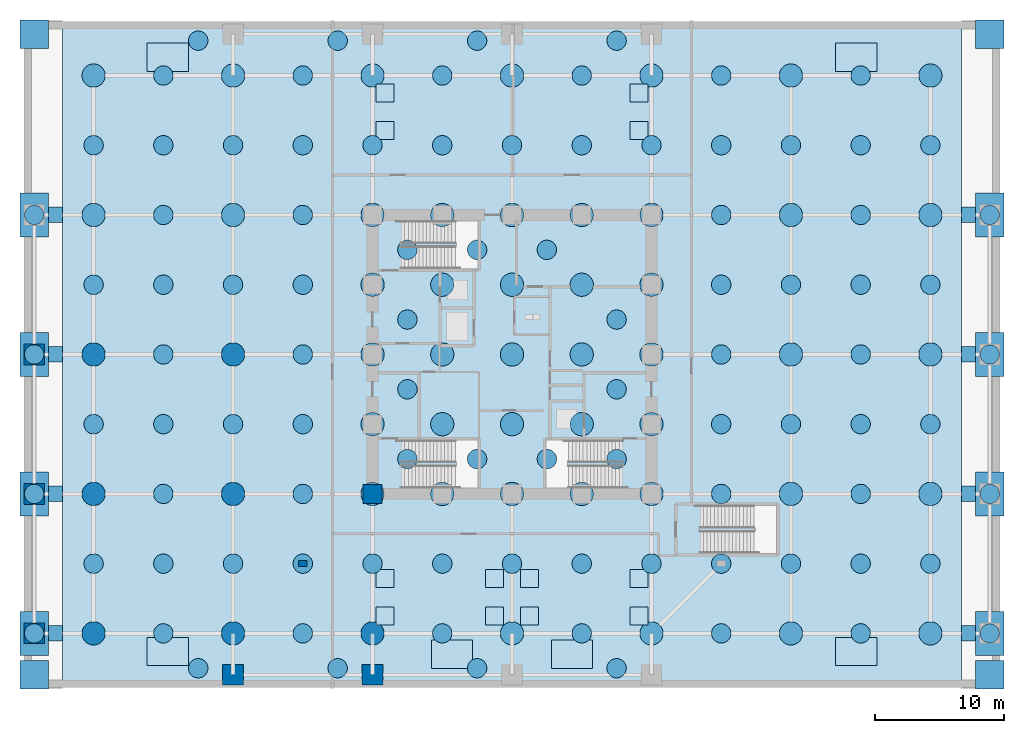
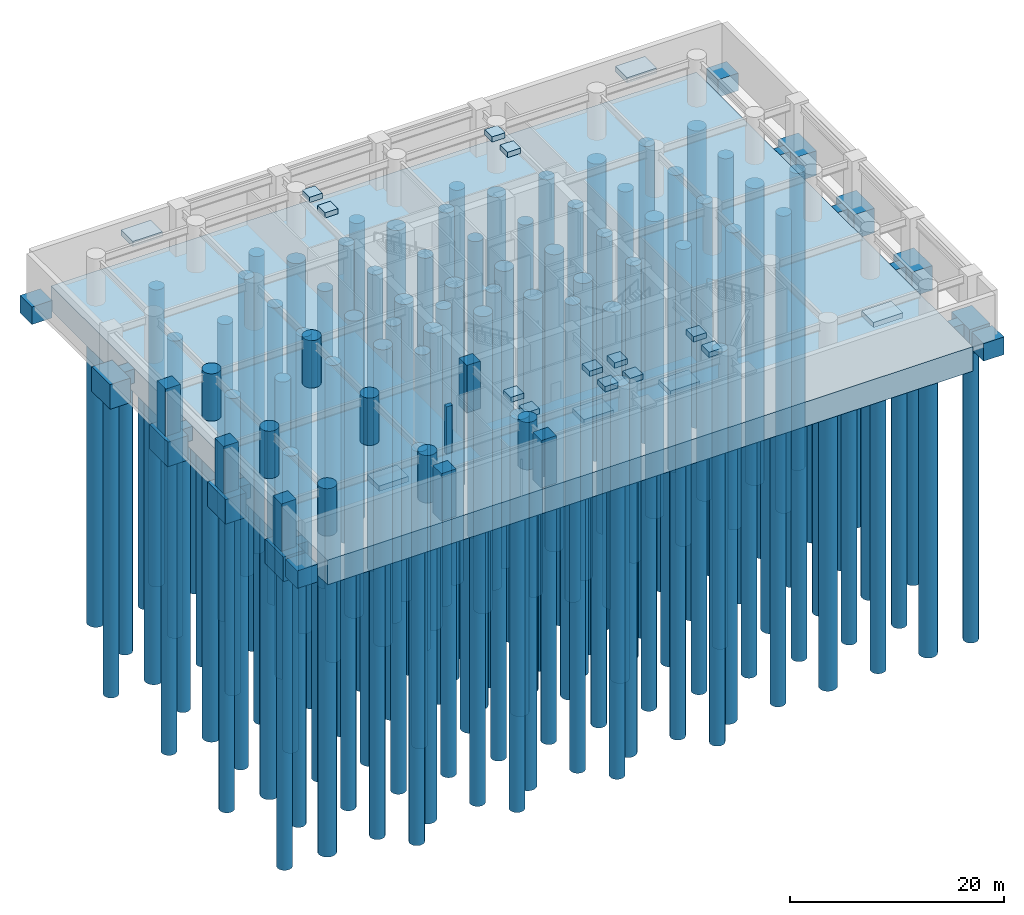
# One storey, part 1 of 9: 144 piles, 39 footings, 14 columns.
"""IFC4 building model written with IfcOpenShell, lengths in metres."""

from ifc_helpers import new_model, si_unit, direction, frame, origin, origin_2d, place, context, subcontext, project, spatial, polyline, rectangle, circle, outline, extrude, material, material_profile, profile_set, type_object, element, save


model = new_model("IFC4")

# Units and contexts
model_context = context("Model", 3, precision=1e-05, world=origin(), true_north=direction((0.0, 1.0)))
body_context = subcontext(model_context, "Body", "Model", "MODEL_VIEW")
ifc_project = project(units=[si_unit("LENGTHUNIT", "METRE"), si_unit("AREAUNIT", "SQUARE_METRE"), si_unit("VOLUMEUNIT", "CUBIC_METRE"), si_unit("PLANEANGLEUNIT", "RADIAN"), si_unit("MASSUNIT", "GRAM", prefix="KILO")], contexts=[model_context])

# Site, building, storey
site_placement = place(None, origin())
site = spatial("IfcSite", under=ifc_project, at=site_placement, CompositionType="ELEMENT")
building_placement = place(site_placement, origin())
building = spatial("IfcBuilding", under=site, at=building_placement, Name="Surkhivell Harbour Commons", CompositionType="ELEMENT")
storey_placement = place(building_placement, frame((0.0, 0.0, -5.39990234375)))
storey = spatial("IfcBuildingStorey", under=building, at=storey_placement, Name="B1", CompositionType="ELEMENT", Elevation=-5.39990234375)

# Footings
ifc_material_1 = material(Name="Concrete C50/60", Category="concrete")
ifc_material_profile_1 = material_profile(ifc_material_1, rectangle(XDim=1.199951171875, YDim=1.60009765625, at=origin_2d()), Name="RC-FBM-1200x1600")
ifc_profile_set_1 = profile_set([ifc_material_profile_1], Name="Concrete C50/60")
footing_type_1 = type_object("IfcFootingType", Name="FND-FBM-1200x1600", PredefinedType="FOOTING_BEAM", material=ifc_profile_set_1)
for number, where, z_axis, x_axis, name in (
    (1, (-35.89990234375, -21.60009765625, -0.800048828125), (1.0, 0.0, 0.0), (0.0, 1.0, 0.0), "Foundation Tie Beam GB-01"),
    (2, (34.800048828125, -21.60009765625, -0.800048828125), (1.0, 0.0, 0.0), (0.0, 1.0, 0.0), "Foundation Tie Beam GB-02"),
    (3, (-35.89990234375, -10.800048828125, -0.800048828125), (1.0, 0.0, 0.0), (0.0, 1.0, 0.0), "Foundation Tie Beam GB-03"),
    (4, (34.800048828125, -10.800048828125, -0.800048828125), (1.0, 0.0, 0.0), (0.0, 1.0, 0.0), "Foundation Tie Beam GB-04"),
    (5, (-35.89990234375, 0.0, -0.800048828125), (1.0, 0.0, 0.0), (0.0, 1.0, 0.0), "Foundation Tie Beam GB-05"),
    (6, (34.800048828125, 0.0, -0.800048828125), (1.0, 0.0, 0.0), (0.0, 1.0, 0.0), "Foundation Tie Beam GB-06"),
    (7, (-35.89990234375, 10.800048828125, -0.800048828125), (1.0, 0.0, 0.0), (0.0, 1.0, 0.0), "Foundation Tie Beam GB-07"),
    (8, (34.800048828125, 10.800048828125, -0.800048828125), (1.0, 0.0, 0.0), (0.0, 1.0, 0.0), "Foundation Tie Beam GB-08"),
):
    element("IfcFooting", number, at=place(storey_placement, frame(where, z_axis=z_axis, x_axis=x_axis)), inside=storey, type_object=footing_type_1, Name=name, PredefinedType="FOOTING_BEAM", context=body_context, shape_type="SweptSolid", body=[
        extrude(rectangle(XDim=1.199951171875, YDim=1.60009765625, at=origin_2d()), origin(), (0.0, 0.0, 1.0), 1.099853515625),
    ])
footing_type_2 = type_object("IfcFootingType", Name="FND-PAD-2400x2400", PredefinedType="PAD_FOOTING", material=ifc_material_1)
for number, where, z_axis, x_axis, name in (
    (9, (-37.0, -24.800048828125, -2.0), (0.0, 0.0, 1.0), (1.0, 0.0, 0.0), "Corner Foundation Pad PF-01"),
    (10, (37.0, -24.800048828125, -2.0), (0.0, 0.0, 1.0), (1.0, 0.0, 0.0), "Corner Foundation Pad PF-02"),
    (11, (37.0, 24.800048828125, -2.0), (0.0, 0.0, 1.0), (1.0, 0.0, 0.0), "Corner Foundation Pad PF-03"),
    (12, (-37.0, 24.800048828125, -2.0), (0.0, 0.0, 1.0), (1.0, 0.0, 0.0), "Corner Foundation Pad PF-04"),
):
    element("IfcFooting", number, at=place(storey_placement, frame(where, z_axis=z_axis, x_axis=x_axis)), inside=storey, type_object=footing_type_2, Name=name, PredefinedType="PAD_FOOTING", context=body_context, shape_type="SweptSolid", body=[
        extrude(rectangle(XDim=2.199951171875, YDim=2.199951171875, at=origin_2d()), origin(), (0.0, 0.0, 1.0), 2.0),
    ])
footing_type_3 = type_object("IfcFootingType", Name="FND-PAD-RAMP", PredefinedType="PAD_FOOTING", material=ifc_material_1)
for number, where, z_axis, x_axis, name in (
    (13, (-26.64990234375, -23.0, 4.519775390625), (0.0, 0.0, 1.0), (1.0, 0.0, 0.0), "B1 Accessible Ramp Plinth Footing PF-R01"),
    (14, (-26.64990234375, 23.0, 4.519775390625), (0.0, 0.0, 1.0), (1.0, 0.0, 0.0), "B1 Accessible Ramp Plinth Footing PF-R02"),
    (15, (26.64990234375, -23.0, 4.519775390625), (0.0, 0.0, 1.0), (1.0, 0.0, 0.0), "B1 Accessible Ramp Plinth Footing PF-R03"),
    (16, (26.64990234375, 23.0, 4.519775390625), (0.0, 0.0, 1.0), (1.0, 0.0, 0.0), "B1 Accessible Ramp Plinth Footing PF-R04"),
    (17, (-4.64990234375, -23.199951171875, 4.519775390625), (0.0, 0.0, 1.0), (1.0, 0.0, 0.0), "B1 Accessible Ramp Plinth Footing PF-R05"),
    (18, (4.64990234375, -23.199951171875, 4.519775390625), (0.0, 0.0, 1.0), (1.0, 0.0, 0.0), "B1 Accessible Ramp Plinth Footing PF-R06"),
):
    element("IfcFooting", number, at=place(storey_placement, frame(where, z_axis=z_axis, x_axis=x_axis)), inside=storey, type_object=footing_type_3, Name=name, PredefinedType="PAD_FOOTING", context=body_context, shape_type="SweptSolid", body=[
        extrude(rectangle(XDim=3.199951171875, YDim=2.199951171875, at=origin_2d()), origin(), (0.0, 0.0, 1.0), 0.60009765625),
    ])
for number, where, z_axis, x_axis, name in (
    (19, (-9.85009765625, -20.25, 4.77978515625), (0.0, 0.0, 1.0), (1.0, 0.0, 0.0), "B1 Canopy Column Plinth CAN-S1-1"),
    (20, (-1.35009765625, -20.25, 4.77978515625), (0.0, 0.0, 1.0), (1.0, 0.0, 0.0), "B1 Canopy Column Plinth CAN-S1-2"),
    (21, (-1.35009765625, -17.35009765625, 4.77978515625), (0.0, 0.0, 1.0), (1.0, 0.0, 0.0), "B1 Canopy Column Plinth CAN-S1-3"),
    (22, (-9.85009765625, -17.35009765625, 4.77978515625), (0.0, 0.0, 1.0), (1.0, 0.0, 0.0), "B1 Canopy Column Plinth CAN-S1-4"),
    (23, (1.35009765625, -20.25, 4.77978515625), (0.0, 0.0, 1.0), (1.0, 0.0, 0.0), "B1 Canopy Column Plinth CAN-S2-1"),
    (24, (9.85009765625, -20.25, 4.77978515625), (0.0, 0.0, 1.0), (1.0, 0.0, 0.0), "B1 Canopy Column Plinth CAN-S2-2"),
    (25, (9.85009765625, -17.35009765625, 4.77978515625), (0.0, 0.0, 1.0), (1.0, 0.0, 0.0), "B1 Canopy Column Plinth CAN-S2-3"),
    (26, (1.35009765625, -17.35009765625, 4.77978515625), (0.0, 0.0, 1.0), (1.0, 0.0, 0.0), "B1 Canopy Column Plinth CAN-S2-4"),
    (27, (-9.85009765625, 17.35009765625, 4.77978515625), (0.0, 0.0, 1.0), (1.0, 0.0, 0.0), "B1 Canopy Column Plinth CAN-N1-1"),
    (28, (9.85009765625, 17.35009765625, 4.77978515625), (0.0, 0.0, 1.0), (1.0, 0.0, 0.0), "B1 Canopy Column Plinth CAN-N1-2"),
    (29, (9.85009765625, 20.25, 4.77978515625), (0.0, 0.0, 1.0), (1.0, 0.0, 0.0), "B1 Canopy Column Plinth CAN-N1-3"),
    (30, (-9.85009765625, 20.25, 4.77978515625), (0.0, 0.0, 1.0), (1.0, 0.0, 0.0), "B1 Canopy Column Plinth CAN-N1-4"),
):
    element("IfcFooting", number, at=place(storey_placement, frame(where, z_axis=z_axis, x_axis=x_axis)), inside=storey, type_object=footing_type_3, Name=name, PredefinedType="PAD_FOOTING", context=body_context, shape_type="SweptSolid", body=[
        extrude(rectangle(XDim=1.39990234375, YDim=1.39990234375, at=origin_2d()), origin(), (0.0, 0.0, 1.0), 0.60009765625),
    ])
ifc_material_2 = material(Name="Concrete C60/75", Category="concrete")
footing_type_4 = type_object("IfcFootingType", Name="FND-PCAP-3600x2800", PredefinedType="PILE_CAP", material=ifc_material_2)
for number, where, z_axis, x_axis, name in (
    (31, (-37.0, -21.60009765625, -2.80029296875), (0.0, 0.0, 1.0), (1.0, 0.0, 0.0), "Outer Stilt Pile Cap PC-01"),
    (32, (-37.0, -10.800048828125, -2.80029296875), (0.0, 0.0, 1.0), (1.0, 0.0, 0.0), "Outer Stilt Pile Cap PC-02"),
    (33, (-37.0, 0.0, -2.80029296875), (0.0, 0.0, 1.0), (1.0, 0.0, 0.0), "Outer Stilt Pile Cap PC-03"),
    (34, (-37.0, 10.800048828125, -2.80029296875), (0.0, 0.0, 1.0), (1.0, 0.0, 0.0), "Outer Stilt Pile Cap PC-04"),
    (35, (37.0, -21.60009765625, -2.80029296875), (0.0, 0.0, 1.0), (1.0, 0.0, 0.0), "Outer Stilt Pile Cap PC-05"),
    (36, (37.0, -10.800048828125, -2.80029296875), (0.0, 0.0, 1.0), (1.0, 0.0, 0.0), "Outer Stilt Pile Cap PC-06"),
    (37, (37.0, 0.0, -2.80029296875), (0.0, 0.0, 1.0), (1.0, 0.0, 0.0), "Outer Stilt Pile Cap PC-07"),
    (38, (37.0, 10.800048828125, -2.80029296875), (0.0, 0.0, 1.0), (1.0, 0.0, 0.0), "Outer Stilt Pile Cap PC-08"),
):
    element("IfcFooting", number, at=place(storey_placement, frame(where, z_axis=z_axis, x_axis=x_axis)), inside=storey, type_object=footing_type_4, Name=name, PredefinedType="PILE_CAP", context=body_context, shape_type="SweptSolid", body=[
        extrude(rectangle(XDim=2.199951171875, YDim=3.39990234375, at=origin_2d()), origin(), (0.0, 0.0, 1.0), 2.800048828125),
    ])

# Piles
ifc_material_3 = material(Name="Concrete C45/55", Category="concrete")
ifc_material_profile_2 = material_profile(ifc_material_3, circle(Radius=0.75, at=origin_2d()), Name="PILE-1500")
ifc_profile_set_2 = profile_set([ifc_material_profile_2], Name="Concrete C45/55")
pile_type_1 = type_object("IfcPileType", Name="FND-PILE-1500", PredefinedType="BORED", material=ifc_profile_set_2)
for number, where, z_axis, x_axis, name in (
    (39, (-37.0, -21.60009765625, -2.7001953125), (0.0, 0.0, -1.0), (1.0, 0.0, 0.0), "Rock-Socketed Bored Pile P-001"),
    (40, (-37.0, -10.800048828125, -2.7001953125), (0.0, 0.0, -1.0), (1.0, 0.0, 0.0), "Rock-Socketed Bored Pile P-002"),
    (41, (-37.0, 0.0, -2.7001953125), (0.0, 0.0, -1.0), (1.0, 0.0, 0.0), "Rock-Socketed Bored Pile P-003"),
    (42, (-37.0, 10.800048828125, -2.7001953125), (0.0, 0.0, -1.0), (1.0, 0.0, 0.0), "Rock-Socketed Bored Pile P-004"),
    (43, (37.0, -21.60009765625, -2.7001953125), (0.0, 0.0, -1.0), (1.0, 0.0, 0.0), "Rock-Socketed Bored Pile P-005"),
    (44, (37.0, -10.800048828125, -2.7001953125), (0.0, 0.0, -1.0), (1.0, 0.0, 0.0), "Rock-Socketed Bored Pile P-006"),
    (45, (37.0, 0.0, -2.7001953125), (0.0, 0.0, -1.0), (1.0, 0.0, 0.0), "Rock-Socketed Bored Pile P-007"),
    (46, (37.0, 10.800048828125, -2.7001953125), (0.0, 0.0, -1.0), (1.0, 0.0, 0.0), "Rock-Socketed Bored Pile P-008"),
    (47, (-24.300048828125, -24.300048828125, -2.7001953125), (0.0, 0.0, -1.0), (1.0, 0.0, 0.0), "Rock-Socketed Bored Pile P-009"),
    (48, (-13.5, -24.300048828125, -2.7001953125), (0.0, 0.0, -1.0), (1.0, 0.0, 0.0), "Rock-Socketed Bored Pile P-010"),
    (49, (-2.699951171875, -24.300048828125, -2.7001953125), (0.0, 0.0, -1.0), (1.0, 0.0, 0.0), "Rock-Socketed Bored Pile P-011"),
    (50, (8.10009765625, -24.300048828125, -2.7001953125), (0.0, 0.0, -1.0), (1.0, 0.0, 0.0), "Rock-Socketed Bored Pile P-012"),
    (51, (-24.300048828125, 24.300048828125, -2.7001953125), (0.0, 0.0, -1.0), (1.0, 0.0, 0.0), "Rock-Socketed Bored Pile P-013"),
    (52, (-13.5, 24.300048828125, -2.7001953125), (0.0, 0.0, -1.0), (1.0, 0.0, 0.0), "Rock-Socketed Bored Pile P-014"),
    (53, (-2.699951171875, 24.300048828125, -2.7001953125), (0.0, 0.0, -1.0), (1.0, 0.0, 0.0), "Rock-Socketed Bored Pile P-015"),
    (54, (8.10009765625, 24.300048828125, -2.7001953125), (0.0, 0.0, -1.0), (1.0, 0.0, 0.0), "Rock-Socketed Bored Pile P-016"),
    (55, (-32.39990234375, -16.199951171875, -2.7001953125), (0.0, 0.0, -1.0), (1.0, 0.0, 0.0), "Rock-Socketed Bored Pile P-018"),
    (56, (-32.39990234375, -5.39990234375, -2.7001953125), (0.0, 0.0, -1.0), (1.0, 0.0, 0.0), "Rock-Socketed Bored Pile P-020"),
    (57, (-32.39990234375, 5.39990234375, -2.7001953125), (0.0, 0.0, -1.0), (1.0, 0.0, 0.0), "Rock-Socketed Bored Pile P-022"),
    (58, (-32.39990234375, 16.199951171875, -2.7001953125), (0.0, 0.0, -1.0), (1.0, 0.0, 0.0), "Rock-Socketed Bored Pile P-024"),
    (59, (-27.0, -21.60009765625, -2.7001953125), (0.0, 0.0, -1.0), (1.0, 0.0, 0.0), "Rock-Socketed Bored Pile P-026"),
    (60, (-27.0, -16.199951171875, -2.7001953125), (0.0, 0.0, -1.0), (1.0, 0.0, 0.0), "Rock-Socketed Bored Pile P-027"),
    (61, (-27.0, -10.800048828125, -2.7001953125), (0.0, 0.0, -1.0), (1.0, 0.0, 0.0), "Rock-Socketed Bored Pile P-028"),
    (62, (-27.0, -5.39990234375, -2.7001953125), (0.0, 0.0, -1.0), (1.0, 0.0, 0.0), "Rock-Socketed Bored Pile P-029"),
    (63, (-27.0, 0.0, -2.7001953125), (0.0, 0.0, -1.0), (1.0, 0.0, 0.0), "Rock-Socketed Bored Pile P-030"),
    (64, (-27.0, 5.39990234375, -2.7001953125), (0.0, 0.0, -1.0), (1.0, 0.0, 0.0), "Rock-Socketed Bored Pile P-031"),
    (65, (-27.0, 10.800048828125, -2.7001953125), (0.0, 0.0, -1.0), (1.0, 0.0, 0.0), "Rock-Socketed Bored Pile P-032"),
    (66, (-27.0, 16.199951171875, -2.7001953125), (0.0, 0.0, -1.0), (1.0, 0.0, 0.0), "Rock-Socketed Bored Pile P-033"),
    (67, (-27.0, 21.60009765625, -2.7001953125), (0.0, 0.0, -1.0), (1.0, 0.0, 0.0), "Rock-Socketed Bored Pile P-034"),
    (68, (-21.60009765625, -16.199951171875, -2.7001953125), (0.0, 0.0, -1.0), (1.0, 0.0, 0.0), "Rock-Socketed Bored Pile P-036"),
    (69, (-21.60009765625, -5.39990234375, -2.7001953125), (0.0, 0.0, -1.0), (1.0, 0.0, 0.0), "Rock-Socketed Bored Pile P-038"),
    (70, (-21.60009765625, 5.39990234375, -2.7001953125), (0.0, 0.0, -1.0), (1.0, 0.0, 0.0), "Rock-Socketed Bored Pile P-040"),
    (71, (-21.60009765625, 16.199951171875, -2.7001953125), (0.0, 0.0, -1.0), (1.0, 0.0, 0.0), "Rock-Socketed Bored Pile P-042"),
    (72, (-16.199951171875, -21.60009765625, -2.7001953125), (0.0, 0.0, -1.0), (1.0, 0.0, 0.0), "Rock-Socketed Bored Pile P-044"),
    (73, (-16.199951171875, -16.199951171875, -2.7001953125), (0.0, 0.0, -1.0), (1.0, 0.0, 0.0), "Rock-Socketed Bored Pile P-045"),
    (74, (-16.199951171875, -10.800048828125, -2.7001953125), (0.0, 0.0, -1.0), (1.0, 0.0, 0.0), "Rock-Socketed Bored Pile P-046"),
    (75, (-16.199951171875, -5.39990234375, -2.7001953125), (0.0, 0.0, -1.0), (1.0, 0.0, 0.0), "Rock-Socketed Bored Pile P-047"),
    (76, (-16.199951171875, 0.0, -2.7001953125), (0.0, 0.0, -1.0), (1.0, 0.0, 0.0), "Rock-Socketed Bored Pile P-048"),
    (77, (-16.199951171875, 5.39990234375, -2.7001953125), (0.0, 0.0, -1.0), (1.0, 0.0, 0.0), "Rock-Socketed Bored Pile P-049"),
    (78, (-16.199951171875, 10.800048828125, -2.7001953125), (0.0, 0.0, -1.0), (1.0, 0.0, 0.0), "Rock-Socketed Bored Pile P-050"),
    (79, (-16.199951171875, 16.199951171875, -2.7001953125), (0.0, 0.0, -1.0), (1.0, 0.0, 0.0), "Rock-Socketed Bored Pile P-051"),
    (80, (-16.199951171875, 21.60009765625, -2.7001953125), (0.0, 0.0, -1.0), (1.0, 0.0, 0.0), "Rock-Socketed Bored Pile P-052"),
    (81, (-10.800048828125, -16.199951171875, -2.7001953125), (0.0, 0.0, -1.0), (1.0, 0.0, 0.0), "Rock-Socketed Bored Pile P-054"),
    (82, (-10.800048828125, 16.199951171875, -2.7001953125), (0.0, 0.0, -1.0), (1.0, 0.0, 0.0), "Rock-Socketed Bored Pile P-060"),
    (83, (-5.39990234375, -21.60009765625, -2.7001953125), (0.0, 0.0, -1.0), (1.0, 0.0, 0.0), "Rock-Socketed Bored Pile P-062"),
    (84, (-5.39990234375, -16.199951171875, -2.7001953125), (0.0, 0.0, -1.0), (1.0, 0.0, 0.0), "Rock-Socketed Bored Pile P-063"),
    (85, (-5.39990234375, 16.199951171875, -2.7001953125), (0.0, 0.0, -1.0), (1.0, 0.0, 0.0), "Rock-Socketed Bored Pile P-069"),
    (86, (-5.39990234375, 21.60009765625, -2.7001953125), (0.0, 0.0, -1.0), (1.0, 0.0, 0.0), "Rock-Socketed Bored Pile P-070"),
    (87, (0.0, -16.199951171875, -2.7001953125), (0.0, 0.0, -1.0), (1.0, 0.0, 0.0), "Rock-Socketed Bored Pile P-072"),
    (88, (0.0, 16.199951171875, -2.7001953125), (0.0, 0.0, -1.0), (1.0, 0.0, 0.0), "Rock-Socketed Bored Pile P-078"),
    (89, (5.39990234375, -21.60009765625, -2.7001953125), (0.0, 0.0, -1.0), (1.0, 0.0, 0.0), "Rock-Socketed Bored Pile P-080"),
    (90, (5.39990234375, -16.199951171875, -2.7001953125), (0.0, 0.0, -1.0), (1.0, 0.0, 0.0), "Rock-Socketed Bored Pile P-081"),
    (91, (5.39990234375, 16.199951171875, -2.7001953125), (0.0, 0.0, -1.0), (1.0, 0.0, 0.0), "Rock-Socketed Bored Pile P-087"),
    (92, (5.39990234375, 21.60009765625, -2.7001953125), (0.0, 0.0, -1.0), (1.0, 0.0, 0.0), "Rock-Socketed Bored Pile P-088"),
    (93, (10.800048828125, -16.199951171875, -2.7001953125), (0.0, 0.0, -1.0), (1.0, 0.0, 0.0), "Rock-Socketed Bored Pile P-090"),
    (94, (10.800048828125, 16.199951171875, -2.7001953125), (0.0, 0.0, -1.0), (1.0, 0.0, 0.0), "Rock-Socketed Bored Pile P-096"),
    (95, (16.199951171875, -21.60009765625, -2.7001953125), (0.0, 0.0, -1.0), (1.0, 0.0, 0.0), "Rock-Socketed Bored Pile P-098"),
    (96, (16.199951171875, -16.199951171875, -2.7001953125), (0.0, 0.0, -1.0), (1.0, 0.0, 0.0), "Rock-Socketed Bored Pile P-099"),
    (97, (16.199951171875, -10.800048828125, -2.7001953125), (0.0, 0.0, -1.0), (1.0, 0.0, 0.0), "Rock-Socketed Bored Pile P-100"),
    (98, (16.199951171875, -5.39990234375, -2.7001953125), (0.0, 0.0, -1.0), (1.0, 0.0, 0.0), "Rock-Socketed Bored Pile P-101"),
    (99, (16.199951171875, 0.0, -2.7001953125), (0.0, 0.0, -1.0), (1.0, 0.0, 0.0), "Rock-Socketed Bored Pile P-102"),
    (100, (16.199951171875, 5.39990234375, -2.7001953125), (0.0, 0.0, -1.0), (1.0, 0.0, 0.0), "Rock-Socketed Bored Pile P-103"),
    (101, (16.199951171875, 10.800048828125, -2.7001953125), (0.0, 0.0, -1.0), (1.0, 0.0, 0.0), "Rock-Socketed Bored Pile P-104"),
    (102, (16.199951171875, 16.199951171875, -2.7001953125), (0.0, 0.0, -1.0), (1.0, 0.0, 0.0), "Rock-Socketed Bored Pile P-105"),
    (103, (16.199951171875, 21.60009765625, -2.7001953125), (0.0, 0.0, -1.0), (1.0, 0.0, 0.0), "Rock-Socketed Bored Pile P-106"),
    (104, (21.60009765625, -16.199951171875, -2.7001953125), (0.0, 0.0, -1.0), (1.0, 0.0, 0.0), "Rock-Socketed Bored Pile P-108"),
    (105, (21.60009765625, -5.39990234375, -2.7001953125), (0.0, 0.0, -1.0), (1.0, 0.0, 0.0), "Rock-Socketed Bored Pile P-110"),
    (106, (21.60009765625, 5.39990234375, -2.7001953125), (0.0, 0.0, -1.0), (1.0, 0.0, 0.0), "Rock-Socketed Bored Pile P-112"),
    (107, (21.60009765625, 16.199951171875, -2.7001953125), (0.0, 0.0, -1.0), (1.0, 0.0, 0.0), "Rock-Socketed Bored Pile P-114"),
    (108, (27.0, -21.60009765625, -2.7001953125), (0.0, 0.0, -1.0), (1.0, 0.0, 0.0), "Rock-Socketed Bored Pile P-116"),
    (109, (27.0, -16.199951171875, -2.7001953125), (0.0, 0.0, -1.0), (1.0, 0.0, 0.0), "Rock-Socketed Bored Pile P-117"),
    (110, (27.0, -10.800048828125, -2.7001953125), (0.0, 0.0, -1.0), (1.0, 0.0, 0.0), "Rock-Socketed Bored Pile P-118"),
    (111, (27.0, -5.39990234375, -2.7001953125), (0.0, 0.0, -1.0), (1.0, 0.0, 0.0), "Rock-Socketed Bored Pile P-119"),
    (112, (27.0, 0.0, -2.7001953125), (0.0, 0.0, -1.0), (1.0, 0.0, 0.0), "Rock-Socketed Bored Pile P-120"),
    (113, (27.0, 5.39990234375, -2.7001953125), (0.0, 0.0, -1.0), (1.0, 0.0, 0.0), "Rock-Socketed Bored Pile P-121"),
    (114, (27.0, 10.800048828125, -2.7001953125), (0.0, 0.0, -1.0), (1.0, 0.0, 0.0), "Rock-Socketed Bored Pile P-122"),
    (115, (27.0, 16.199951171875, -2.7001953125), (0.0, 0.0, -1.0), (1.0, 0.0, 0.0), "Rock-Socketed Bored Pile P-123"),
    (116, (27.0, 21.60009765625, -2.7001953125), (0.0, 0.0, -1.0), (1.0, 0.0, 0.0), "Rock-Socketed Bored Pile P-124"),
    (117, (32.39990234375, -16.199951171875, -2.7001953125), (0.0, 0.0, -1.0), (1.0, 0.0, 0.0), "Rock-Socketed Bored Pile P-126"),
    (118, (32.39990234375, -5.39990234375, -2.7001953125), (0.0, 0.0, -1.0), (1.0, 0.0, 0.0), "Rock-Socketed Bored Pile P-128"),
    (119, (32.39990234375, 5.39990234375, -2.7001953125), (0.0, 0.0, -1.0), (1.0, 0.0, 0.0), "Rock-Socketed Bored Pile P-130"),
    (120, (32.39990234375, 16.199951171875, -2.7001953125), (0.0, 0.0, -1.0), (1.0, 0.0, 0.0), "Rock-Socketed Bored Pile P-132"),
    (121, (-8.10009765625, -8.10009765625, -2.7001953125), (0.0, 0.0, -1.0), (1.0, 0.0, 0.0), "Rock-Socketed Bored Pile P-134"),
    (122, (-2.699951171875, -8.10009765625, -2.7001953125), (0.0, 0.0, -1.0), (1.0, 0.0, 0.0), "Rock-Socketed Bored Pile P-135"),
    (123, (2.699951171875, -8.10009765625, -2.7001953125), (0.0, 0.0, -1.0), (1.0, 0.0, 0.0), "Rock-Socketed Bored Pile P-136"),
    (124, (8.10009765625, -8.10009765625, -2.7001953125), (0.0, 0.0, -1.0), (1.0, 0.0, 0.0), "Rock-Socketed Bored Pile P-137"),
    (125, (-8.10009765625, -2.699951171875, -2.7001953125), (0.0, 0.0, -1.0), (1.0, 0.0, 0.0), "Rock-Socketed Bored Pile P-138"),
    (126, (8.10009765625, -2.699951171875, -2.7001953125), (0.0, 0.0, -1.0), (1.0, 0.0, 0.0), "Rock-Socketed Bored Pile P-139"),
    (127, (-8.10009765625, 2.699951171875, -2.7001953125), (0.0, 0.0, -1.0), (1.0, 0.0, 0.0), "Rock-Socketed Bored Pile P-140"),
    (128, (8.10009765625, 2.699951171875, -2.7001953125), (0.0, 0.0, -1.0), (1.0, 0.0, 0.0), "Rock-Socketed Bored Pile P-141"),
    (129, (-8.10009765625, 8.10009765625, -2.7001953125), (0.0, 0.0, -1.0), (1.0, 0.0, 0.0), "Rock-Socketed Bored Pile P-142"),
    (130, (-2.699951171875, 8.10009765625, -2.7001953125), (0.0, 0.0, -1.0), (1.0, 0.0, 0.0), "Rock-Socketed Bored Pile P-143"),
    (131, (2.699951171875, 8.10009765625, -2.7001953125), (0.0, 0.0, -1.0), (1.0, 0.0, 0.0), "Rock-Socketed Bored Pile P-144"),
):
    element("IfcPile", number, at=place(storey_placement, frame(where, z_axis=z_axis, x_axis=x_axis)), inside=storey, type_object=pile_type_1, Name=name, PredefinedType="BORED", context=body_context, shape_type="SweptSolid", body=[
        extrude(circle(Radius=0.75, at=origin_2d()), origin(), (0.0, 0.0, 1.0), 33.89990234375),
    ])
ifc_material_profile_3 = material_profile(ifc_material_3, circle(Radius=0.89990234375, at=origin_2d()), Name="PILE-1800")
ifc_profile_set_3 = profile_set([ifc_material_profile_3], Name="Concrete C45/55")
pile_type_2 = type_object("IfcPileType", Name="FND-PILE-1800", PredefinedType="BORED", material=ifc_profile_set_3)
for number, where, z_axis, x_axis, name in (
    (132, (-32.39990234375, -21.60009765625, -2.7001953125), (0.0, 0.0, -1.0), (1.0, 0.0, 0.0), "Rock-Socketed Bored Pile P-017"),
    (133, (-32.39990234375, -10.800048828125, -2.7001953125), (0.0, 0.0, -1.0), (1.0, 0.0, 0.0), "Rock-Socketed Bored Pile P-019"),
    (134, (-32.39990234375, 0.0, -2.7001953125), (0.0, 0.0, -1.0), (1.0, 0.0, 0.0), "Rock-Socketed Bored Pile P-021"),
    (135, (-32.39990234375, 10.800048828125, -2.7001953125), (0.0, 0.0, -1.0), (1.0, 0.0, 0.0), "Rock-Socketed Bored Pile P-023"),
    (136, (-32.39990234375, 21.60009765625, -2.7001953125), (0.0, 0.0, -1.0), (1.0, 0.0, 0.0), "Rock-Socketed Bored Pile P-025"),
    (137, (-21.60009765625, -21.60009765625, -2.7001953125), (0.0, 0.0, -1.0), (1.0, 0.0, 0.0), "Rock-Socketed Bored Pile P-035"),
    (138, (-21.60009765625, -10.800048828125, -2.7001953125), (0.0, 0.0, -1.0), (1.0, 0.0, 0.0), "Rock-Socketed Bored Pile P-037"),
    (139, (-21.60009765625, 0.0, -2.7001953125), (0.0, 0.0, -1.0), (1.0, 0.0, 0.0), "Rock-Socketed Bored Pile P-039"),
    (140, (-21.60009765625, 10.800048828125, -2.7001953125), (0.0, 0.0, -1.0), (1.0, 0.0, 0.0), "Rock-Socketed Bored Pile P-041"),
    (141, (-21.60009765625, 21.60009765625, -2.7001953125), (0.0, 0.0, -1.0), (1.0, 0.0, 0.0), "Rock-Socketed Bored Pile P-043"),
    (142, (-10.800048828125, -21.60009765625, -2.7001953125), (0.0, 0.0, -1.0), (1.0, 0.0, 0.0), "Rock-Socketed Bored Pile P-053"),
    (143, (-10.800048828125, -10.800048828125, -2.7001953125), (0.0, 0.0, -1.0), (1.0, 0.0, 0.0), "Rock-Socketed Bored Pile P-055"),
    (144, (-10.800048828125, -5.39990234375, -2.7001953125), (0.0, 0.0, -1.0), (1.0, 0.0, 0.0), "Rock-Socketed Bored Pile P-056"),
    (145, (-10.800048828125, 0.0, -2.7001953125), (0.0, 0.0, -1.0), (1.0, 0.0, 0.0), "Rock-Socketed Bored Pile P-057"),
    (146, (-10.800048828125, 5.39990234375, -2.7001953125), (0.0, 0.0, -1.0), (1.0, 0.0, 0.0), "Rock-Socketed Bored Pile P-058"),
    (147, (-10.800048828125, 10.800048828125, -2.7001953125), (0.0, 0.0, -1.0), (1.0, 0.0, 0.0), "Rock-Socketed Bored Pile P-059"),
    (148, (-10.800048828125, 21.60009765625, -2.7001953125), (0.0, 0.0, -1.0), (1.0, 0.0, 0.0), "Rock-Socketed Bored Pile P-061"),
    (149, (-5.39990234375, -10.800048828125, -2.7001953125), (0.0, 0.0, -1.0), (1.0, 0.0, 0.0), "Rock-Socketed Bored Pile P-064"),
    (150, (-5.39990234375, -5.39990234375, -2.7001953125), (0.0, 0.0, -1.0), (1.0, 0.0, 0.0), "Rock-Socketed Bored Pile P-065"),
    (151, (-5.39990234375, 0.0, -2.7001953125), (0.0, 0.0, -1.0), (1.0, 0.0, 0.0), "Rock-Socketed Bored Pile P-066"),
    (152, (-5.39990234375, 5.39990234375, -2.7001953125), (0.0, 0.0, -1.0), (1.0, 0.0, 0.0), "Rock-Socketed Bored Pile P-067"),
    (153, (-5.39990234375, 10.800048828125, -2.7001953125), (0.0, 0.0, -1.0), (1.0, 0.0, 0.0), "Rock-Socketed Bored Pile P-068"),
    (154, (0.0, -21.60009765625, -2.7001953125), (0.0, 0.0, -1.0), (1.0, 0.0, 0.0), "Rock-Socketed Bored Pile P-071"),
    (155, (0.0, -10.800048828125, -2.7001953125), (0.0, 0.0, -1.0), (1.0, 0.0, 0.0), "Rock-Socketed Bored Pile P-073"),
    (156, (0.0, -5.39990234375, -2.7001953125), (0.0, 0.0, -1.0), (1.0, 0.0, 0.0), "Rock-Socketed Bored Pile P-074"),
    (157, (0.0, 0.0, -2.7001953125), (0.0, 0.0, -1.0), (1.0, 0.0, 0.0), "Rock-Socketed Bored Pile P-075"),
    (158, (0.0, 5.39990234375, -2.7001953125), (0.0, 0.0, -1.0), (1.0, 0.0, 0.0), "Rock-Socketed Bored Pile P-076"),
    (159, (0.0, 10.800048828125, -2.7001953125), (0.0, 0.0, -1.0), (1.0, 0.0, 0.0), "Rock-Socketed Bored Pile P-077"),
    (160, (0.0, 21.60009765625, -2.7001953125), (0.0, 0.0, -1.0), (1.0, 0.0, 0.0), "Rock-Socketed Bored Pile P-079"),
    (161, (5.39990234375, -10.800048828125, -2.7001953125), (0.0, 0.0, -1.0), (1.0, 0.0, 0.0), "Rock-Socketed Bored Pile P-082"),
    (162, (5.39990234375, -5.39990234375, -2.7001953125), (0.0, 0.0, -1.0), (1.0, 0.0, 0.0), "Rock-Socketed Bored Pile P-083"),
    (163, (5.39990234375, 0.0, -2.7001953125), (0.0, 0.0, -1.0), (1.0, 0.0, 0.0), "Rock-Socketed Bored Pile P-084"),
    (164, (5.39990234375, 5.39990234375, -2.7001953125), (0.0, 0.0, -1.0), (1.0, 0.0, 0.0), "Rock-Socketed Bored Pile P-085"),
    (165, (5.39990234375, 10.800048828125, -2.7001953125), (0.0, 0.0, -1.0), (1.0, 0.0, 0.0), "Rock-Socketed Bored Pile P-086"),
    (166, (10.800048828125, -21.60009765625, -2.7001953125), (0.0, 0.0, -1.0), (1.0, 0.0, 0.0), "Rock-Socketed Bored Pile P-089"),
    (167, (10.800048828125, -10.800048828125, -2.7001953125), (0.0, 0.0, -1.0), (1.0, 0.0, 0.0), "Rock-Socketed Bored Pile P-091"),
    (168, (10.800048828125, -5.39990234375, -2.7001953125), (0.0, 0.0, -1.0), (1.0, 0.0, 0.0), "Rock-Socketed Bored Pile P-092"),
    (169, (10.800048828125, 0.0, -2.7001953125), (0.0, 0.0, -1.0), (1.0, 0.0, 0.0), "Rock-Socketed Bored Pile P-093"),
    (170, (10.800048828125, 5.39990234375, -2.7001953125), (0.0, 0.0, -1.0), (1.0, 0.0, 0.0), "Rock-Socketed Bored Pile P-094"),
    (171, (10.800048828125, 10.800048828125, -2.7001953125), (0.0, 0.0, -1.0), (1.0, 0.0, 0.0), "Rock-Socketed Bored Pile P-095"),
    (172, (10.800048828125, 21.60009765625, -2.7001953125), (0.0, 0.0, -1.0), (1.0, 0.0, 0.0), "Rock-Socketed Bored Pile P-097"),
    (173, (21.60009765625, -21.60009765625, -2.7001953125), (0.0, 0.0, -1.0), (1.0, 0.0, 0.0), "Rock-Socketed Bored Pile P-107"),
    (174, (21.60009765625, -10.800048828125, -2.7001953125), (0.0, 0.0, -1.0), (1.0, 0.0, 0.0), "Rock-Socketed Bored Pile P-109"),
    (175, (21.60009765625, 0.0, -2.7001953125), (0.0, 0.0, -1.0), (1.0, 0.0, 0.0), "Rock-Socketed Bored Pile P-111"),
    (176, (21.60009765625, 10.800048828125, -2.7001953125), (0.0, 0.0, -1.0), (1.0, 0.0, 0.0), "Rock-Socketed Bored Pile P-113"),
    (177, (21.60009765625, 21.60009765625, -2.7001953125), (0.0, 0.0, -1.0), (1.0, 0.0, 0.0), "Rock-Socketed Bored Pile P-115"),
    (178, (32.39990234375, -21.60009765625, -2.7001953125), (0.0, 0.0, -1.0), (1.0, 0.0, 0.0), "Rock-Socketed Bored Pile P-125"),
    (179, (32.39990234375, -10.800048828125, -2.7001953125), (0.0, 0.0, -1.0), (1.0, 0.0, 0.0), "Rock-Socketed Bored Pile P-127"),
    (180, (32.39990234375, 0.0, -2.7001953125), (0.0, 0.0, -1.0), (1.0, 0.0, 0.0), "Rock-Socketed Bored Pile P-129"),
    (181, (32.39990234375, 10.800048828125, -2.7001953125), (0.0, 0.0, -1.0), (1.0, 0.0, 0.0), "Rock-Socketed Bored Pile P-131"),
    (182, (32.39990234375, 21.60009765625, -2.7001953125), (0.0, 0.0, -1.0), (1.0, 0.0, 0.0), "Rock-Socketed Bored Pile P-133"),
):
    element("IfcPile", number, at=place(storey_placement, frame(where, z_axis=z_axis, x_axis=x_axis)), inside=storey, type_object=pile_type_2, Name=name, PredefinedType="BORED", context=body_context, shape_type="SweptSolid", body=[
        extrude(circle(Radius=0.89990234375, at=origin_2d()), origin(), (0.0, 0.0, 1.0), 33.89990234375),
    ])

# Footing
footing_type_5 = type_object("IfcFootingType", Name="FND-RAFT-2800", PredefinedType="PAD_FOOTING", material=ifc_material_2)
footing_placement = place(storey_placement, frame((0.0, 0.0, -2.800048828125)))
element("IfcFooting", 183, at=footing_placement, inside=storey, type_object=footing_type_5, Name="Tower Piled Raft Foundation", PredefinedType="PAD_FOOTING", context=body_context, shape_type="SweptSolid", body=[
    extrude(outline(polyline([(-34.800048828125, -25.800048828125), (34.800048828125, -25.800048828125), (34.800048828125, 25.800048828125), (-34.800048828125, 25.800048828125), (-34.800048828125, -25.800048828125)])), origin(), (0.0, 0.0, 1.0), 2.800048828125),
])

# Columns
ifc_material_4 = material(Name="Concrete C80/95", Category="concrete")
ifc_material_profile_4 = material_profile(ifc_material_4, rectangle(XDim=1.449951171875, YDim=1.449951171875, at=origin_2d()), Name="RC-COL-1450x1450")
ifc_profile_set_4 = profile_set([ifc_material_profile_4], Name="Concrete C80/95")
column_type_1 = type_object("IfcColumnType", Name="COL-CORE-1450", PredefinedType="COLUMN", material=ifc_profile_set_4)
column_1_placement = place(storey_placement, frame((-10.800048828125, -10.800048828125, 0.0), z_axis=(0.0, 0.0, 1.0), x_axis=(1.0, 0.0, 0.0)))
element("IfcColumn", 184, at=column_1_placement, inside=storey, type_object=column_type_1, Name="B1 Column CC-1 (-10.8,-10.8)", PredefinedType="COLUMN", context=body_context, shape_type="SweptSolid", body=[
    extrude(rectangle(XDim=1.449951171875, YDim=1.449951171875, at=origin_2d()), origin(), (0.0, 0.0, 1.0), 5.39990234375),
])
ifc_material_profile_5 = material_profile(ifc_material_4, rectangle(XDim=1.60009765625, YDim=1.60009765625, at=origin_2d()), Name="RC-COL-1600x1600")
ifc_profile_set_5 = profile_set([ifc_material_profile_5], Name="Concrete C80/95")
column_type_2 = type_object("IfcColumnType", Name="COL-MEGA-1600", PredefinedType="COLUMN", material=ifc_profile_set_5)
for number, where, z_axis, x_axis, name in (
    (185, (-37.0, -21.60009765625, 0.0), (0.0, 0.0, 1.0), (1.0, 0.0, 0.0), "B1 Column CM-1 (-37.0,-21.6)"),
    (186, (-37.0, -10.800048828125, 0.0), (0.0, 0.0, 1.0), (1.0, 0.0, 0.0), "B1 Column CM-1 (-37.0,-10.8)"),
    (187, (-37.0, 0.0, 0.0), (0.0, 0.0, 1.0), (1.0, 0.0, 0.0), "B1 Column CM-1 (-37.0,0.0)"),
    (188, (-21.60009765625, -24.800048828125, 0.0), (0.0, 0.0, 1.0), (1.0, 0.0, 0.0), "B1 Column CM-1 (-21.6,-24.8)"),
    (189, (-10.800048828125, -24.800048828125, 0.0), (0.0, 0.0, 1.0), (1.0, 0.0, 0.0), "B1 Column CM-1 (-10.8,-24.8)"),
):
    element("IfcColumn", number, at=place(storey_placement, frame(where, z_axis=z_axis, x_axis=x_axis)), inside=storey, type_object=column_type_2, Name=name, PredefinedType="COLUMN", context=body_context, shape_type="SweptSolid", body=[
        extrude(rectangle(XDim=1.60009765625, YDim=1.60009765625, at=origin_2d()), origin(), (0.0, 0.0, 1.0), 5.39990234375),
    ])
ifc_material_profile_6 = material_profile(ifc_material_1, rectangle(XDim=0.64990234375, YDim=0.449951171875, at=origin_2d()), Name="RC-PIL-650x450")
ifc_profile_set_6 = profile_set([ifc_material_profile_6], Name="Concrete C50/60")
column_type_3 = type_object("IfcColumnType", Name="COL-PIL-650", PredefinedType="PILASTER", material=ifc_profile_set_6)
column_2_placement = place(storey_placement, frame((-16.199951171875, -16.199951171875, 0.0), z_axis=(0.0, 0.0, 1.0), x_axis=(1.0, 0.0, 0.0)))
element("IfcColumn", 190, at=column_2_placement, inside=storey, type_object=column_type_3, Name="B1 Brick-Clad Entrance Pilaster 1", PredefinedType="PILASTER", context=body_context, shape_type="SweptSolid", body=[
    extrude(rectangle(XDim=0.64990234375, YDim=0.449951171875, at=origin_2d()), origin(), (0.0, 0.0, 1.0), 5.39990234375),
])
ifc_material_profile_7 = material_profile(ifc_material_4, circle(Radius=0.89990234375, at=origin_2d()), Name="RC-CIRC-1800")
ifc_profile_set_7 = profile_set([ifc_material_profile_7], Name="Concrete C80/95")
column_type_4 = type_object("IfcColumnType", Name="COL-STILT-1800", PredefinedType="COLUMN", material=ifc_profile_set_7)
for number, where, z_axis, x_axis, name in (
    (191, (-32.39990234375, -21.60009765625, 0.0), (0.0, 0.0, 1.0), (1.0, 0.0, 0.0), "B1 Column CS-1 (-32.4,-21.6)"),
    (192, (-32.39990234375, -10.800048828125, 0.0), (0.0, 0.0, 1.0), (1.0, 0.0, 0.0), "B1 Column CS-1 (-32.4,-10.8)"),
    (193, (-32.39990234375, 0.0, 0.0), (0.0, 0.0, 1.0), (1.0, 0.0, 0.0), "B1 Column CS-1 (-32.4,0.0)"),
    (194, (-21.60009765625, -21.60009765625, 0.0), (0.0, 0.0, 1.0), (1.0, 0.0, 0.0), "B1 Column CS-1 (-21.6,-21.6)"),
    (195, (-21.60009765625, -10.800048828125, 0.0), (0.0, 0.0, 1.0), (1.0, 0.0, 0.0), "B1 Column CS-1 (-21.6,-10.8)"),
    (196, (-21.60009765625, 0.0, 0.0), (0.0, 0.0, 1.0), (1.0, 0.0, 0.0), "B1 Column CS-1 (-21.6,0.0)"),
    (197, (-10.800048828125, -21.60009765625, 0.0), (0.0, 0.0, 1.0), (1.0, 0.0, 0.0), "B1 Column CS-1 (-10.8,-21.6)"),
):
    element("IfcColumn", number, at=place(storey_placement, frame(where, z_axis=z_axis, x_axis=x_axis)), inside=storey, type_object=column_type_4, Name=name, PredefinedType="COLUMN", context=body_context, shape_type="SweptSolid", body=[
        extrude(circle(Radius=0.89990234375, at=origin_2d()), origin(), (0.0, 0.0, 1.0), 5.39990234375),
    ])

save(model, "model.ifc")
